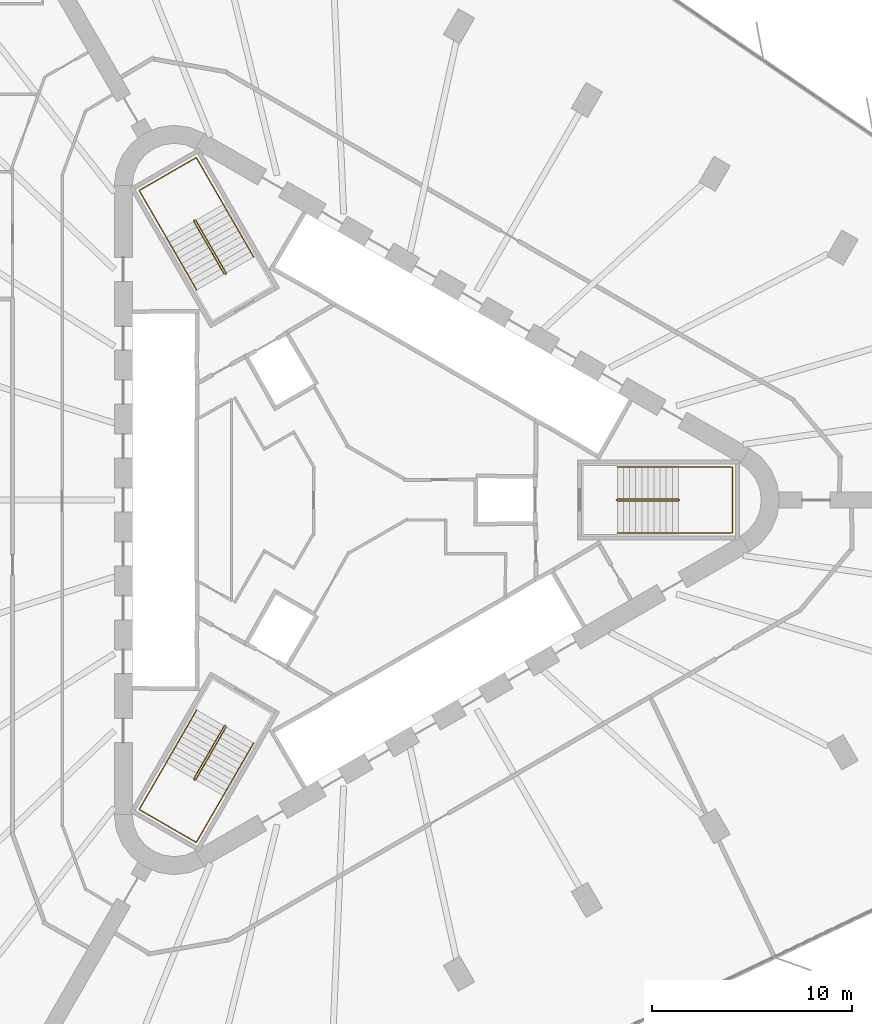
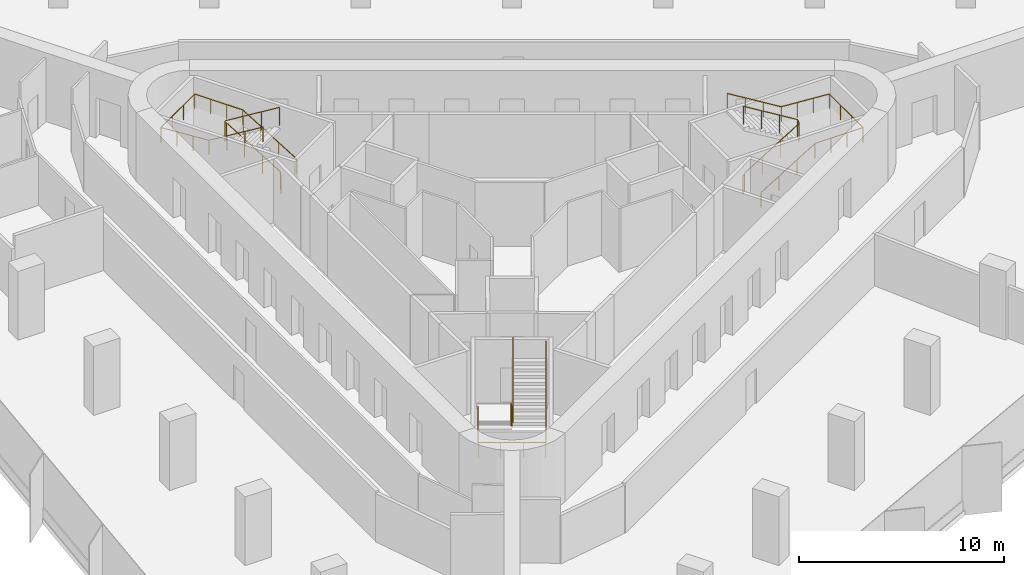
# One storey, part 14 of 14: 6 railings.
"""IFC4 building model written with IfcOpenShell, lengths in metres."""

from ifc_helpers import new_model, si_unit, direction, frame, origin, origin_2d, place, context, subcontext, project, spatial, circle, extrude, material, type_object, element, save


model = new_model("IFC4")

# Units and contexts
model_context = context("Model", 3, precision=1e-05, world=origin(), true_north=direction((0.0, 1.0)))
body_context = subcontext(model_context, "Body", "Model", "MODEL_VIEW")
ifc_project = project(units=[si_unit("LENGTHUNIT", "METRE"), si_unit("AREAUNIT", "SQUARE_METRE"), si_unit("VOLUMEUNIT", "CUBIC_METRE"), si_unit("PLANEANGLEUNIT", "RADIAN"), si_unit("MASSUNIT", "GRAM", prefix="KILO")], contexts=[model_context])

# Site, building, storey
site_placement = place(None, origin())
site = spatial("IfcSite", under=ifc_project, at=site_placement, CompositionType="ELEMENT")
building_placement = place(site_placement, origin())
building = spatial("IfcBuilding", under=site, at=building_placement, Name="Tanit Gate Tower", CompositionType="ELEMENT")
storey_placement = place(building_placement, frame((0.0, 0.0, 82.39990234375)))
storey = spatial("IfcBuildingStorey", under=building, at=storey_placement, Name="L16", CompositionType="ELEMENT", Elevation=82.39990234375)

# Railings
ifc_material_1 = material(Name="Stainless steel balustrade", Category="steel")
railing_type_1 = type_object("IfcRailingType", Name="INT-STAIR-GUARD", PredefinedType="GUARDRAIL", material=ifc_material_1)
railing_1_placement = place(storey_placement, frame((13.044921875, 0.0048828125, 0.0)))
element("IfcRailing", 1, at=railing_1_placement, inside=storey, type_object=railing_type_1, Name="L16 S1 stair guard 1", PredefinedType="GUARDRAIL", context=body_context, shape_type="SweptSolid", body=[
    extrude(circle(Radius=0.02392578125, at=origin_2d()), frame((0.0, 0.0, 1.076171875), z_axis=(0.0, -1.0, 0.0), x_axis=(1.0, 0.0, 0.0)), (0.0, 0.0, 1.0), 0.009765625),
    extrude(circle(Radius=0.02392578125, at=origin_2d()), frame((0.0, -0.009765625, 1.076171875), z_axis=(0.250869701741, -0.250869701741, 0.934948546978), x_axis=(0.707106781187, 0.707106781187, 0.0)), (0.0, 0.0, 1.0), 0.199462890625),
    extrude(circle(Radius=0.02392578125, at=origin_2d()), frame((0.050048828125, -0.059814453125, 1.2626953125), z_axis=(0.853405036568, 0.0, 0.521248351134), x_axis=(0.0, 1.0, 0.0)), (0.0, 0.0, 1.0), 3.5751953125),
    extrude(circle(Radius=0.02392578125, at=origin_2d()), frame((3.10107421875, -0.059814453125, 3.1259765625), z_axis=(0.707106781187, 0.707106781187, 0.0), x_axis=(-0.707106781187, 0.707106781187, 0.0)), (0.0, 0.0, 1.0), 0.07080078125),
    extrude(circle(Radius=0.02392578125, at=origin_2d()), frame((3.151123046875, -0.009765625, 3.1259765625), z_axis=(0.0, 1.0, 0.0), x_axis=(-1.0, 0.0, 0.0)), (0.0, 0.0, 1.0), 0.009765625),
    extrude(circle(Radius=0.02392578125, at=origin_2d()), frame((3.151123046875, 0.0, 3.1259765625), z_axis=(-0.250869701741, 0.250869701741, 0.934948546978), x_axis=(-0.707106781187, -0.707106781187, 0.0)), (0.0, 0.0, 1.0), 0.199462890625),
    extrude(circle(Radius=0.02392578125, at=origin_2d()), frame((3.10107421875, 0.050048828125, 3.3125), z_axis=(-0.853405036568, 0.0, 0.521248351134), x_axis=(0.0, -1.0, 0.0)), (0.0, 0.0, 1.0), 3.5751953125),
    extrude(circle(Radius=0.02099609375, at=origin_2d()), origin(), (0.0, 0.0, 1.0), 1.052001953125),
    extrude(circle(Radius=0.02099609375, at=origin_2d()), frame((0.0, -0.009765625, 0.0)), (0.0, 0.0, 1.0), 1.052001953125),
    extrude(circle(Radius=0.02099609375, at=origin_2d()), frame((0.050048828125, -0.059814453125, 0.1865234375)), (0.0, 0.0, 1.0), 1.052001953125),
    extrude(circle(Radius=0.02099609375, at=origin_2d()), frame((1.067138671875, -0.059814453125, 0.8076171875)), (0.0, 0.0, 1.0), 1.052001953125),
    extrude(circle(Radius=0.02099609375, at=origin_2d()), frame((2.083984375, -0.059814453125, 1.428955078125)), (0.0, 0.0, 1.0), 1.052001953125),
    extrude(circle(Radius=0.02099609375, at=origin_2d()), frame((3.10107421875, -0.059814453125, 2.050048828125)), (0.0, 0.0, 1.0), 1.052001953125),
    extrude(circle(Radius=0.02099609375, at=origin_2d()), frame((3.151123046875, -0.009765625, 2.050048828125)), (0.0, 0.0, 1.0), 1.052001953125),
    extrude(circle(Radius=0.02099609375, at=origin_2d()), frame((3.151123046875, 0.0, 2.050048828125)), (0.0, 0.0, 1.0), 1.052001953125),
    extrude(circle(Radius=0.02099609375, at=origin_2d()), frame((3.10107421875, 0.050048828125, 2.236572265625)), (0.0, 0.0, 1.0), 1.052001953125),
    extrude(circle(Radius=0.02099609375, at=origin_2d()), frame((2.083984375, 0.050048828125, 2.857666015625)), (0.0, 0.0, 1.0), 1.052001953125),
    extrude(circle(Radius=0.02099609375, at=origin_2d()), frame((1.067138671875, 0.050048828125, 3.47900390625)), (0.0, 0.0, 1.0), 1.052001953125),
    extrude(circle(Radius=0.02099609375, at=origin_2d()), frame((0.050048828125, 0.050048828125, 4.10009765625)), (0.0, 0.0, 1.0), 1.052001953125),
])
railing_2_placement = place(storey_placement, frame((-6.527099609375, 11.29345703125, 0.0)))
element("IfcRailing", 2, at=railing_2_placement, inside=storey, type_object=railing_type_1, Name="L16 S2 stair guard 1", PredefinedType="GUARDRAIL", context=body_context, shape_type="SweptSolid", body=[
    extrude(circle(Radius=0.02392578125, at=origin_2d()), frame((0.0, 0.0, 1.076171875), z_axis=(0.868243142124, 0.496138938357, 0.0), x_axis=(-0.496138938357, 0.868243142124, 0.0)), (0.0, 0.0, 1.0), 0.01171875),
    extrude(circle(Radius=0.02392578125, at=origin_2d()), frame((0.01025390625, 0.005859375, 1.076171875), z_axis=(0.09178331637, 0.342657714447, 0.934966049419), x_axis=(-0.965948051503, 0.258736085224, 0.0)), (0.0, 0.0, 1.0), 0.199462890625),
    extrude(circle(Radius=0.02392578125, at=origin_2d()), frame((0.028564453125, 0.07421875, 1.2626953125), z_axis=(-0.426651696395, 0.73893750972, 0.521478366466), x_axis=(-0.866012246495, -0.500022788402, 0.0)), (0.0, 0.0, 1.0), 3.573486328125),
    extrude(circle(Radius=0.02392578125, at=origin_2d()), frame((-1.49609375, 2.71484375, 3.1259765625), z_axis=(-0.965715946433, 0.259601060869, 0.0), x_axis=(-0.259601060869, -0.965715946433, 0.0)), (0.0, 0.0, 1.0), 0.070556640625),
    extrude(circle(Radius=0.02392578125, at=origin_2d()), frame((-1.564208984375, 2.733154296875, 3.1259765625), z_axis=(-0.873197702015, -0.487366159264, 0.0), x_axis=(0.487366159264, -0.873197702015, 0.0)), (0.0, 0.0, 1.0), 0.011962890625),
    extrude(circle(Radius=0.02392578125, at=origin_2d()), frame((-1.57470703125, 2.727294921875, 3.1259765625), z_axis=(-0.09178331637, -0.342657714447, 0.934966049419), x_axis=(0.965948051503, -0.258736085224, 0.0)), (0.0, 0.0, 1.0), 0.199462890625),
    extrude(circle(Radius=0.02392578125, at=origin_2d()), frame((-1.593017578125, 2.658935546875, 3.3125), z_axis=(0.426651696395, -0.73893750972, 0.521478366466), x_axis=(0.866012246495, 0.500022788402, 0.0)), (0.0, 0.0, 1.0), 3.573486328125),
    extrude(circle(Radius=0.02099609375, at=origin_2d()), origin(), (0.0, 0.0, 1.0), 1.052001953125),
    extrude(circle(Radius=0.02099609375, at=origin_2d()), frame((0.01025390625, 0.005859375, 0.0)), (0.0, 0.0, 1.0), 1.052001953125),
    extrude(circle(Radius=0.02099609375, at=origin_2d()), frame((0.028564453125, 0.07421875, 0.1865234375)), (0.0, 0.0, 1.0), 1.052001953125),
    extrude(circle(Radius=0.02099609375, at=origin_2d()), frame((-0.479736328125, 0.954345703125, 0.8076171875)), (0.0, 0.0, 1.0), 1.052001953125),
    extrude(circle(Radius=0.02099609375, at=origin_2d()), frame((-0.98779296875, 1.834716796875, 1.428955078125)), (0.0, 0.0, 1.0), 1.052001953125),
    extrude(circle(Radius=0.02099609375, at=origin_2d()), frame((-1.49609375, 2.71484375, 2.050048828125)), (0.0, 0.0, 1.0), 1.052001953125),
    extrude(circle(Radius=0.02099609375, at=origin_2d()), frame((-1.564208984375, 2.733154296875, 2.050048828125)), (0.0, 0.0, 1.0), 1.052001953125),
    extrude(circle(Radius=0.02099609375, at=origin_2d()), frame((-1.57470703125, 2.727294921875, 2.050048828125)), (0.0, 0.0, 1.0), 1.052001953125),
    extrude(circle(Radius=0.02099609375, at=origin_2d()), frame((-1.593017578125, 2.658935546875, 2.236572265625)), (0.0, 0.0, 1.0), 1.052001953125),
    extrude(circle(Radius=0.02099609375, at=origin_2d()), frame((-1.084716796875, 1.77880859375, 2.857666015625)), (0.0, 0.0, 1.0), 1.052001953125),
    extrude(circle(Radius=0.02099609375, at=origin_2d()), frame((-0.57666015625, 0.8984375, 3.47900390625)), (0.0, 0.0, 1.0), 1.052001953125),
    extrude(circle(Radius=0.02099609375, at=origin_2d()), frame((-0.068359375, 0.018310546875, 4.10009765625)), (0.0, 0.0, 1.0), 1.052001953125),
])
railing_3_placement = place(storey_placement, frame((-6.51806640625, -11.2998046875, 0.0)))
element("IfcRailing", 3, at=railing_3_placement, inside=storey, type_object=railing_type_1, Name="L16 S3 stair guard 1", PredefinedType="GUARDRAIL", context=body_context, shape_type="SweptSolid", body=[
    extrude(circle(Radius=0.02392578125, at=origin_2d()), frame((0.0, 0.0, 1.076171875), z_axis=(-0.874157276122, 0.485642931179, 0.0), x_axis=(-0.485642931179, -0.874157276122, 0.0)), (0.0, 0.0, 1.0), 0.010009765625),
    extrude(circle(Radius=0.02392578125, at=origin_2d()), frame((-0.0087890625, 0.0048828125, 1.076171875), z_axis=(-0.342695952383, -0.090569644558, 0.935070384359), x_axis=(0.255512919477, -0.966805641264, 0.0)), (0.0, 0.0, 1.0), 0.199462890625),
    extrude(circle(Radius=0.02392578125, at=origin_2d()), frame((-0.0771484375, -0.01318359375, 1.2626953125), z_axis=(-0.426668548982, -0.73908990167, 0.521248565042), x_axis=(0.866048339477, -0.499960272111, 0.0)), (0.0, 0.0, 1.0), 3.5751953125),
    extrude(circle(Radius=0.02392578125, at=origin_2d()), frame((-1.6025390625, -2.655517578125, 3.1259765625), z_axis=(0.258736085224, -0.965948051503, 0.0), x_axis=(0.965948051503, 0.258736085224, 0.0)), (0.0, 0.0, 1.0), 0.07080078125),
    extrude(circle(Radius=0.02392578125, at=origin_2d()), frame((-1.584228515625, -2.723876953125, 3.1259765625), z_axis=(0.868243142124, -0.496138938357, 0.0), x_axis=(0.496138938357, 0.868243142124, 0.0)), (0.0, 0.0, 1.0), 0.009765625),
    extrude(circle(Radius=0.02392578125, at=origin_2d()), frame((-1.57568359375, -2.728759765625, 3.1259765625), z_axis=(0.342657714447, 0.09178331637, 0.934966049419), x_axis=(-0.258736085224, 0.965948051503, 0.0)), (0.0, 0.0, 1.0), 0.199462890625),
    extrude(circle(Radius=0.02392578125, at=origin_2d()), frame((-1.50732421875, -2.71044921875, 3.3125), z_axis=(0.426745940485, 0.73903737685, 0.521259683745), x_axis=(-0.865993683553, 0.500054937028, 0.0)), (0.0, 0.0, 1.0), 3.574951171875),
    extrude(circle(Radius=0.02099609375, at=origin_2d()), origin(), (0.0, 0.0, 1.0), 1.052001953125),
    extrude(circle(Radius=0.02099609375, at=origin_2d()), frame((-0.0087890625, 0.0048828125, 0.0)), (0.0, 0.0, 1.0), 1.052001953125),
    extrude(circle(Radius=0.02099609375, at=origin_2d()), frame((-0.0771484375, -0.01318359375, 0.1865234375)), (0.0, 0.0, 1.0), 1.052001953125),
    extrude(circle(Radius=0.02099609375, at=origin_2d()), frame((-0.585693359375, -0.89404296875, 0.8076171875)), (0.0, 0.0, 1.0), 1.052001953125),
    extrude(circle(Radius=0.02099609375, at=origin_2d()), frame((-1.093994140625, -1.774658203125, 1.428955078125)), (0.0, 0.0, 1.0), 1.052001953125),
    extrude(circle(Radius=0.02099609375, at=origin_2d()), frame((-1.6025390625, -2.655517578125, 2.050048828125)), (0.0, 0.0, 1.0), 1.052001953125),
    extrude(circle(Radius=0.02099609375, at=origin_2d()), frame((-1.584228515625, -2.723876953125, 2.050048828125)), (0.0, 0.0, 1.0), 1.052001953125),
    extrude(circle(Radius=0.02099609375, at=origin_2d()), frame((-1.57568359375, -2.728759765625, 2.050048828125)), (0.0, 0.0, 1.0), 1.052001953125),
    extrude(circle(Radius=0.02099609375, at=origin_2d()), frame((-1.50732421875, -2.71044921875, 2.236572265625)), (0.0, 0.0, 1.0), 1.052001953125),
    extrude(circle(Radius=0.02099609375, at=origin_2d()), frame((-0.998779296875, -1.829833984375, 2.857666015625)), (0.0, 0.0, 1.0), 1.052001953125),
    extrude(circle(Radius=0.02099609375, at=origin_2d()), frame((-0.490234375, -0.948974609375, 3.47900390625)), (0.0, 0.0, 1.0), 1.052001953125),
    extrude(circle(Radius=0.02099609375, at=origin_2d()), frame((0.018310546875, -0.068359375, 4.10009765625)), (0.0, 0.0, 1.0), 1.052001953125),
])
ifc_material_2 = material(Name="Stainless steel handrail", Category="steel")
railing_type_2 = type_object("IfcRailingType", Name="INT-STAIR-HANDRAIL", PredefinedType="HANDRAIL", material=ifc_material_2)
railing_4_placement = place(storey_placement, frame((13.094970703125, -1.64990234375, 0.1865234375)))
element("IfcRailing", 4, at=railing_4_placement, inside=storey, type_object=railing_type_2, Name="L16 S1 stair handrail 1", PredefinedType="HANDRAIL", context=body_context, shape_type="SweptSolid", body=[
    extrude(circle(Radius=0.02392578125, at=origin_2d()), frame((0.0, 0.0, 0.8759765625), z_axis=(0.853405036568, 0.0, 0.521248351134), x_axis=(0.0, 1.0, 0.0)), (0.0, 0.0, 1.0), 3.5751953125),
    extrude(circle(Radius=0.02392578125, at=origin_2d()), frame((3.051025390625, 0.0, 2.7392578125), z_axis=(1.0, 0.0, 0.0), x_axis=(0.0, 1.0, 0.0)), (0.0, 0.0, 1.0), 2.7041015625),
    extrude(circle(Radius=0.02392578125, at=origin_2d()), frame((5.755126953125, 0.0, 2.7392578125), z_axis=(0.0, 1.0, 0.0), x_axis=(-1.0, 0.0, 0.0)), (0.0, 0.0, 1.0), 3.2998046875),
    extrude(circle(Radius=0.02392578125, at=origin_2d()), frame((5.755126953125, 3.2998046875, 2.7392578125), z_axis=(-0.997629475601, 0.0, 0.068814456425), x_axis=(0.0, -1.0, 0.0)), (0.0, 0.0, 1.0), 2.71044921875),
    extrude(circle(Radius=0.02392578125, at=origin_2d()), frame((3.051025390625, 3.2998046875, 2.92578125), z_axis=(-0.853405036568, 0.0, 0.521248351134), x_axis=(0.0, -1.0, 0.0)), (0.0, 0.0, 1.0), 3.5751953125),
    extrude(circle(Radius=0.02099609375, at=origin_2d()), origin(), (0.0, 0.0, 1.0), 0.851806640625),
    extrude(circle(Radius=0.02099609375, at=origin_2d()), frame((1.01708984375, 0.0, 0.62109375)), (0.0, 0.0, 1.0), 0.851806640625),
    extrude(circle(Radius=0.02099609375, at=origin_2d()), frame((2.033935546875, 0.0, 1.242431640625)), (0.0, 0.0, 1.0), 0.851806640625),
    extrude(circle(Radius=0.02099609375, at=origin_2d()), frame((3.051025390625, 0.0, 1.863525390625)), (0.0, 0.0, 1.0), 0.851806640625),
    extrude(circle(Radius=0.02099609375, at=origin_2d()), frame((3.952392578125, 0.0, 1.863525390625)), (0.0, 0.0, 1.0), 0.851806640625),
    extrude(circle(Radius=0.02099609375, at=origin_2d()), frame((4.853759765625, 0.0, 1.863525390625)), (0.0, 0.0, 1.0), 0.851806640625),
    extrude(circle(Radius=0.02099609375, at=origin_2d()), frame((5.755126953125, 0.0, 1.863525390625)), (0.0, 0.0, 1.0), 0.851806640625),
    extrude(circle(Radius=0.02099609375, at=origin_2d()), frame((5.755126953125, 1.099853515625, 1.863525390625)), (0.0, 0.0, 1.0), 0.851806640625),
    extrude(circle(Radius=0.02099609375, at=origin_2d()), frame((5.755126953125, 2.199951171875, 1.863525390625)), (0.0, 0.0, 1.0), 0.851806640625),
    extrude(circle(Radius=0.02099609375, at=origin_2d()), frame((5.755126953125, 3.2998046875, 1.863525390625)), (0.0, 0.0, 1.0), 0.851806640625),
    extrude(circle(Radius=0.02099609375, at=origin_2d()), frame((4.853759765625, 3.2998046875, 1.92578125)), (0.0, 0.0, 1.0), 0.851806640625),
    extrude(circle(Radius=0.02099609375, at=origin_2d()), frame((3.952392578125, 3.2998046875, 1.98779296875)), (0.0, 0.0, 1.0), 0.851806640625),
    extrude(circle(Radius=0.02099609375, at=origin_2d()), frame((3.051025390625, 3.2998046875, 2.050048828125)), (0.0, 0.0, 1.0), 0.851806640625),
    extrude(circle(Radius=0.02099609375, at=origin_2d()), frame((2.033935546875, 3.2998046875, 2.671142578125)), (0.0, 0.0, 1.0), 0.851806640625),
    extrude(circle(Radius=0.02099609375, at=origin_2d()), frame((1.01708984375, 3.2998046875, 3.29248046875)), (0.0, 0.0, 1.0), 0.851806640625),
    extrude(circle(Radius=0.02099609375, at=origin_2d()), frame((0.0, 3.2998046875, 3.91357421875)), (0.0, 0.0, 1.0), 0.851806640625),
])
railing_5_placement = place(storey_placement, frame((-5.1181640625, 12.164794921875, 0.1865234375)))
element("IfcRailing", 5, at=railing_5_placement, inside=storey, type_object=railing_type_2, Name="L16 S2 stair handrail 1", PredefinedType="HANDRAIL", context=body_context, shape_type="SweptSolid", body=[
    extrude(circle(Radius=0.02392578125, at=origin_2d()), frame((0.0, 0.0, 0.8759765625), z_axis=(-0.426595811233, 0.738959047773, 0.521493566166), x_axis=(-0.866046917185, -0.499962735845, 0.0)), (0.0, 0.0, 1.0), 3.573486328125),
    extrude(circle(Radius=0.02392578125, at=origin_2d()), frame((-1.5244140625, 2.640625, 2.7392578125), z_axis=(-0.500019123664, 0.86601436245, 0.0), x_axis=(-0.86601436245, -0.500019123664, 0.0)), (0.0, 0.0, 1.0), 2.70703125),
    extrude(circle(Radius=0.02392578125, at=origin_2d()), frame((-2.8779296875, 4.98486328125, 2.7392578125), z_axis=(-0.866008176907, -0.50002983664, 0.0), x_axis=(0.50002983664, -0.866008176907, 0.0)), (0.0, 0.0, 1.0), 3.300048828125),
    extrude(circle(Radius=0.02392578125, at=origin_2d()), frame((-5.73583984375, 3.334716796875, 2.7392578125), z_axis=(0.498875061953, -0.86394290581, 0.068748294973), x_axis=(0.865991810323, 0.500058181068, 0.0)), (0.0, 0.0, 1.0), 2.713134765625),
    extrude(circle(Radius=0.02392578125, at=origin_2d()), frame((-4.38232421875, 0.99072265625, 2.92578125), z_axis=(0.426630158194, -0.738968522208, 0.521452041232), x_axis=(0.866032263162, 0.499988119021, 0.0)), (0.0, 0.0, 1.0), 3.57373046875),
    extrude(circle(Radius=0.02099609375, at=origin_2d()), origin(), (0.0, 0.0, 1.0), 0.851806640625),
    extrude(circle(Radius=0.02099609375, at=origin_2d()), frame((-0.508056640625, 0.880126953125, 0.62109375)), (0.0, 0.0, 1.0), 0.851806640625),
    extrude(circle(Radius=0.02099609375, at=origin_2d()), frame((-1.016357421875, 1.760498046875, 1.242431640625)), (0.0, 0.0, 1.0), 0.851806640625),
    extrude(circle(Radius=0.02099609375, at=origin_2d()), frame((-1.5244140625, 2.640625, 1.863525390625)), (0.0, 0.0, 1.0), 0.851806640625),
    extrude(circle(Radius=0.02099609375, at=origin_2d()), frame((-1.9755859375, 3.422119140625, 1.863525390625)), (0.0, 0.0, 1.0), 0.851806640625),
    extrude(circle(Radius=0.02099609375, at=origin_2d()), frame((-2.4267578125, 4.203369140625, 1.863525390625)), (0.0, 0.0, 1.0), 0.851806640625),
    extrude(circle(Radius=0.02099609375, at=origin_2d()), frame((-2.8779296875, 4.98486328125, 1.863525390625)), (0.0, 0.0, 1.0), 0.851806640625),
    extrude(circle(Radius=0.02099609375, at=origin_2d()), frame((-3.83056640625, 4.434814453125, 1.863525390625)), (0.0, 0.0, 1.0), 0.851806640625),
    extrude(circle(Radius=0.02099609375, at=origin_2d()), frame((-4.783203125, 3.884765625, 1.863525390625)), (0.0, 0.0, 1.0), 0.851806640625),
    extrude(circle(Radius=0.02099609375, at=origin_2d()), frame((-5.73583984375, 3.334716796875, 1.863525390625)), (0.0, 0.0, 1.0), 0.851806640625),
    extrude(circle(Radius=0.02099609375, at=origin_2d()), frame((-5.28466796875, 2.553466796875, 1.92578125)), (0.0, 0.0, 1.0), 0.851806640625),
    extrude(circle(Radius=0.02099609375, at=origin_2d()), frame((-4.83349609375, 1.77197265625, 1.98779296875)), (0.0, 0.0, 1.0), 0.851806640625),
    extrude(circle(Radius=0.02099609375, at=origin_2d()), frame((-4.38232421875, 0.99072265625, 2.050048828125)), (0.0, 0.0, 1.0), 0.851806640625),
    extrude(circle(Radius=0.02099609375, at=origin_2d()), frame((-3.8740234375, 0.1103515625, 2.671142578125)), (0.0, 0.0, 1.0), 0.851806640625),
    extrude(circle(Radius=0.02099609375, at=origin_2d()), frame((-3.365966796875, -0.769775390625, 3.29248046875)), (0.0, 0.0, 1.0), 0.851806640625),
    extrude(circle(Radius=0.02099609375, at=origin_2d()), frame((-2.857666015625, -1.650146484375, 3.91357421875)), (0.0, 0.0, 1.0), 0.851806640625),
])
railing_6_placement = place(storey_placement, frame((-7.9765625, -10.515625, 0.1865234375)))
element("IfcRailing", 6, at=railing_6_placement, inside=storey, type_object=railing_type_2, Name="L16 S3 stair handrail 1", PredefinedType="HANDRAIL", context=body_context, shape_type="SweptSolid", body=[
    extrude(circle(Radius=0.02392578125, at=origin_2d()), frame((0.0, 0.0, 0.8759765625), z_axis=(-0.426668548982, -0.73908990167, 0.521248565042), x_axis=(0.866048339477, -0.499960272111, 0.0)), (0.0, 0.0, 1.0), 3.5751953125),
    extrude(circle(Radius=0.02392578125, at=origin_2d()), frame((-1.525390625, -2.642333984375, 2.7392578125), z_axis=(-0.50004290449, -0.866000631449, 0.0), x_axis=(0.866000631449, -0.50004290449, 0.0)), (0.0, 0.0, 1.0), 2.703857421875),
    extrude(circle(Radius=0.02392578125, at=origin_2d()), frame((-2.87744140625, -4.98388671875, 2.7392578125), z_axis=(0.866008176907, -0.50002983664, 0.0), x_axis=(0.50002983664, 0.866008176907, 0.0)), (0.0, 0.0, 1.0), 3.300048828125),
    extrude(circle(Radius=0.02392578125, at=origin_2d()), frame((-0.01953125, -6.634033203125, 2.7392578125), z_axis=(0.498818517556, 0.863970245648, 0.068814977864), x_axis=(-0.866023205937, 0.500003806764, 0.0)), (0.0, 0.0, 1.0), 2.71044921875),
    extrude(circle(Radius=0.02392578125, at=origin_2d()), frame((1.33251953125, -4.292236328125, 2.92578125), z_axis=(0.426668548982, 0.73908990167, 0.521248565042), x_axis=(-0.866048339477, 0.499960272111, 0.0)), (0.0, 0.0, 1.0), 3.5751953125),
    extrude(circle(Radius=0.02099609375, at=origin_2d()), origin(), (0.0, 0.0, 1.0), 0.851806640625),
    extrude(circle(Radius=0.02099609375, at=origin_2d()), frame((-0.508544921875, -0.880859375, 0.62109375)), (0.0, 0.0, 1.0), 0.851806640625),
    extrude(circle(Radius=0.02099609375, at=origin_2d()), frame((-1.016845703125, -1.761474609375, 1.242431640625)), (0.0, 0.0, 1.0), 0.851806640625),
    extrude(circle(Radius=0.02099609375, at=origin_2d()), frame((-1.525390625, -2.642333984375, 1.863525390625)), (0.0, 0.0, 1.0), 0.851806640625),
    extrude(circle(Radius=0.02099609375, at=origin_2d()), frame((-1.97607421875, -3.4228515625, 1.863525390625)), (0.0, 0.0, 1.0), 0.851806640625),
    extrude(circle(Radius=0.02099609375, at=origin_2d()), frame((-2.4267578125, -4.203369140625, 1.863525390625)), (0.0, 0.0, 1.0), 0.851806640625),
    extrude(circle(Radius=0.02099609375, at=origin_2d()), frame((-2.87744140625, -4.98388671875, 1.863525390625)), (0.0, 0.0, 1.0), 0.851806640625),
    extrude(circle(Radius=0.02099609375, at=origin_2d()), frame((-1.9248046875, -5.533935546875, 1.863525390625)), (0.0, 0.0, 1.0), 0.851806640625),
    extrude(circle(Radius=0.02099609375, at=origin_2d()), frame((-0.97216796875, -6.083984375, 1.863525390625)), (0.0, 0.0, 1.0), 0.851806640625),
    extrude(circle(Radius=0.02099609375, at=origin_2d()), frame((-0.01953125, -6.634033203125, 1.863525390625)), (0.0, 0.0, 1.0), 0.851806640625),
    extrude(circle(Radius=0.02099609375, at=origin_2d()), frame((0.43115234375, -5.853515625, 1.92578125)), (0.0, 0.0, 1.0), 0.851806640625),
    extrude(circle(Radius=0.02099609375, at=origin_2d()), frame((0.8818359375, -5.07275390625, 1.98779296875)), (0.0, 0.0, 1.0), 0.851806640625),
    extrude(circle(Radius=0.02099609375, at=origin_2d()), frame((1.33251953125, -4.292236328125, 2.050048828125)), (0.0, 0.0, 1.0), 0.851806640625),
    extrude(circle(Radius=0.02099609375, at=origin_2d()), frame((1.841064453125, -3.411376953125, 2.671142578125)), (0.0, 0.0, 1.0), 0.851806640625),
    extrude(circle(Radius=0.02099609375, at=origin_2d()), frame((2.349365234375, -2.53076171875, 3.29248046875)), (0.0, 0.0, 1.0), 0.851806640625),
    extrude(circle(Radius=0.02099609375, at=origin_2d()), frame((2.85791015625, -1.64990234375, 3.91357421875)), (0.0, 0.0, 1.0), 0.851806640625),
])

save(model, "model.ifc")
